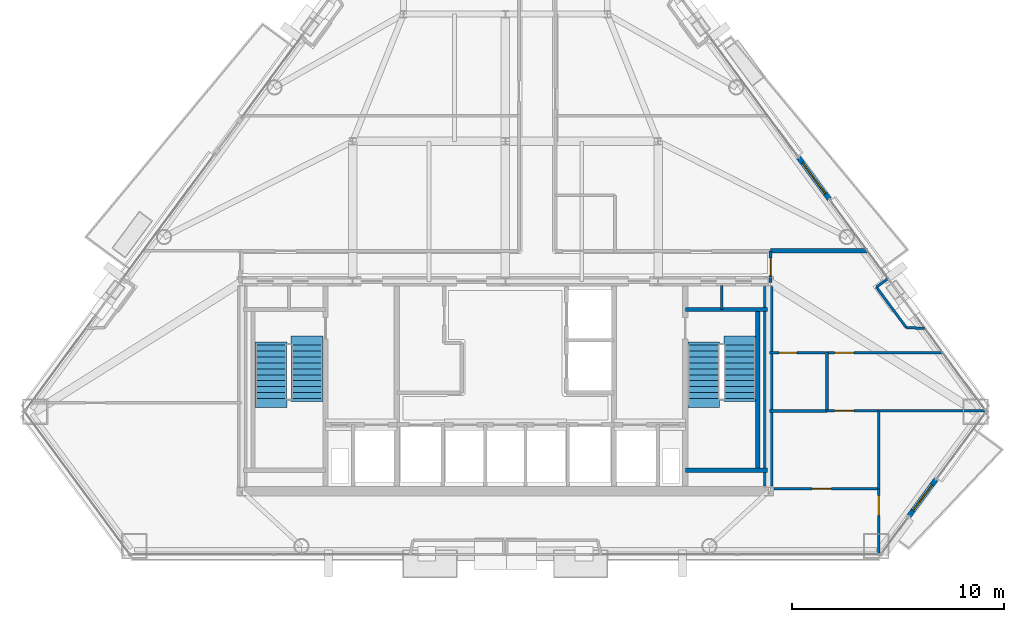
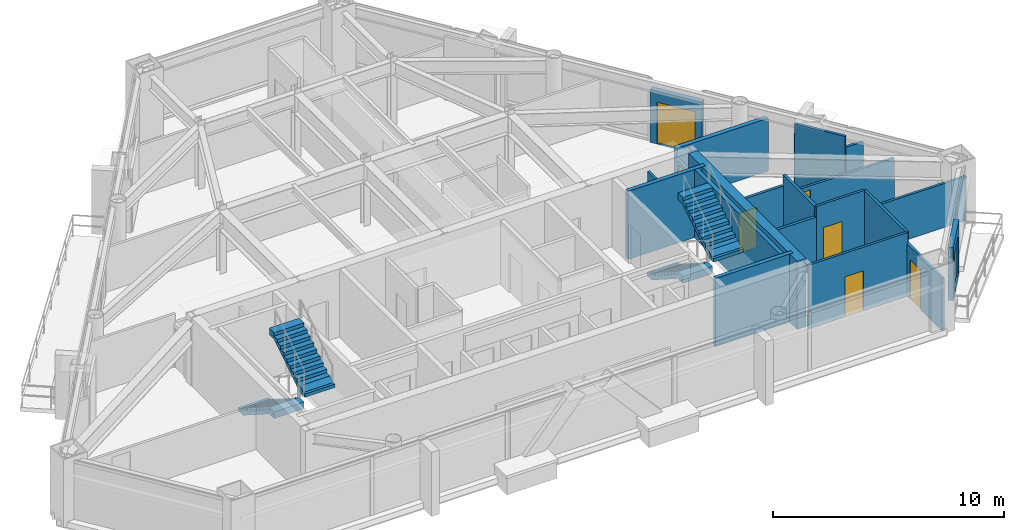
# One storey, part 9 of 11: 21 walls, 8 doors, 4 stair flights, 8 openings, 2 elements without a shape of their own.
"""IFC4 building model written with IfcOpenShell, lengths in metres."""

from ifc_helpers import new_model, si_unit, direction, frame, frame_2d, origin, place, context, subcontext, project, spatial, polyline, rectangle, outline, extrude, material, layer, layer_set, type_object, element, fill, aggregate, save


model = new_model("IFC4")

# Units and contexts
model_context = context("Model", 3, precision=1e-05, world=origin(), true_north=direction((0.0, 1.0)))
body_context = subcontext(model_context, "Body", "Model", "MODEL_VIEW")
ifc_project = project(units=[si_unit("LENGTHUNIT", "METRE"), si_unit("AREAUNIT", "SQUARE_METRE"), si_unit("VOLUMEUNIT", "CUBIC_METRE"), si_unit("PLANEANGLEUNIT", "RADIAN"), si_unit("MASSUNIT", "GRAM", prefix="KILO")], contexts=[model_context])

# Site, building, storey
site_placement = place(None, origin())
site = spatial("IfcSite", under=ifc_project, at=site_placement, CompositionType="ELEMENT")
building_placement = place(site_placement, origin())
building = spatial("IfcBuilding", under=site, at=building_placement, Name="Talgorran Terracotta Tower", CompositionType="ELEMENT")
storey_placement = place(building_placement, frame((0.0, 0.0, 147.300048828125)))
storey = spatial("IfcBuildingStorey", under=building, at=storey_placement, Name="L38", CompositionType="ELEMENT", Elevation=147.300048828125)

# Wall, opening, door
ifc_material_1 = material(Name="Concrete C40/50", Category="concrete")
ifc_layer_1 = layer(ifc_material_1, 0.239990234375, Name="WT_BALCONY_SPAND")
ifc_layer_set_1 = layer_set([ifc_layer_1], Name="Concrete C40/50")
wall_type_1 = type_object("IfcWallType", Name="WT_BALCONY_SPAND", PredefinedType="STANDARD", material=ifc_layer_set_1)
wall_1_placement = place(storey_placement, frame((15.27490234375, -0.323974609375, -0.01513671875), z_axis=(0.0, 0.0, 1.0), x_axis=(-0.594092829232, 0.804396488216, 0.0)))
wall_1 = element("IfcWall", 1, at=wall_1_placement, inside=storey, type_object=wall_type_1, Name="WL-L38-BALP-BAL-NE", PredefinedType="STANDARD", context=body_context, shape_type="SweptSolid", body=[
    extrude(rectangle(XDim=2.440185546875, YDim=0.239990234375, at=frame_2d((1.22021484375, 0.0))), origin(), (0.0, 0.0, 1.0), 2.80712890625),
])
opening_1_placement = place(wall_1_placement, frame((0.320068359375, 0.0, 0.014892578125)))
opening_1 = element("IfcOpeningElement", 2, at=opening_1_placement, cuts=wall_1, Name="Opening D-BAL-L38-1", PredefinedType="OPENING", context=body_context, shape_type="SweptSolid", body=[
    extrude(rectangle(XDim=1.806048828125, YDim=2.203951171875, at=frame_2d((0.89990234375, 1.10205078125))), frame((0.0, 0.1298828125, 0.0), z_axis=(0.0, -1.0, 0.0), x_axis=(1.0, 0.0, 0.0)), (0.0, 0.0, 1.0), 0.260009765625),
])
ifc_material_2 = material(Name="Thermally Broken Aluminium", Category="aluminium")
door_type_1 = type_object("IfcDoorType", Name="DT_BALC_1800", OperationType="SLIDING_TO_LEFT", PredefinedType="DOOR", material=ifc_material_2)
door_1_placement = place(opening_1_placement, origin())
door_1 = element("IfcDoor", 3, at=door_1_placement, inside=storey, type_object=door_type_1, Name="DR-L38-BAL-BAL-NE", OperationType="SLIDING_TO_LEFT", OverallHeight=2.199951171875, OverallWidth=1.800048828125, PredefinedType="DOOR", context=body_context, shape_type="SweptSolid", body=[
    extrude(rectangle(XDim=1.800048828125, YDim=2.199951171875, at=frame_2d((0.89990234375, 1.10009765625))), frame((0.0, 0.02490234375, 0.0), z_axis=(0.0, -1.0, 0.0), x_axis=(1.0, 0.0, 0.0)), (0.0, 0.0, 1.0), 0.050048828125),
])
fill(opening_1, door_1)

wall_2_placement = place(storey_placement, frame((19.028076171875, -15.25634765625, -0.01513671875), z_axis=(0.0, 0.0, 1.0), x_axis=(0.594124797079, 0.804372877151, 0.0)))
wall_2 = element("IfcWall", 4, at=wall_2_placement, inside=storey, type_object=wall_type_1, Name="WL-L38-BALP-BAL-SE", PredefinedType="STANDARD", context=body_context, shape_type="SweptSolid", body=[
    extrude(rectangle(XDim=2.14013671875, YDim=0.239990234375, at=frame_2d((1.070068359375, 0.0))), origin(), (0.0, 0.0, 1.0), 2.80712890625),
])
opening_2_placement = place(wall_2_placement, frame((0.320068359375, 0.0, 0.014892578125)))
opening_2 = element("IfcOpeningElement", 5, at=opening_2_placement, cuts=wall_2, Name="Opening D-BAL-L38-3", PredefinedType="OPENING", context=body_context, shape_type="SweptSolid", body=[
    extrude(rectangle(XDim=1.506, YDim=2.203951171875, at=frame_2d((0.75, 1.10205078125))), frame((0.0, 0.1298828125, 0.0), z_axis=(0.0, -1.0, 0.0), x_axis=(1.0, 0.0, 0.0)), (0.0, 0.0, 1.0), 0.260009765625),
])
door_type_2 = type_object("IfcDoorType", Name="DT_BALC_1500", OperationType="SLIDING_TO_RIGHT", PredefinedType="DOOR", material=ifc_material_2)
door_2_placement = place(opening_2_placement, origin())
door_2 = element("IfcDoor", 6, at=door_2_placement, inside=storey, type_object=door_type_2, Name="DR-L38-BAL-BAL-SE", OperationType="SLIDING_TO_RIGHT", OverallHeight=2.199951171875, OverallWidth=1.5, PredefinedType="DOOR", context=body_context, shape_type="SweptSolid", body=[
    extrude(rectangle(XDim=1.5, YDim=2.199951171875, at=frame_2d((0.75, 1.10009765625))), frame((0.0, 0.02490234375, 0.0), z_axis=(0.0, -1.0, 0.0), x_axis=(1.0, 0.0, 0.0)), (0.0, 0.0, 1.0), 0.050048828125),
])
fill(opening_2, door_2)

# Walls
ifc_material_3 = material(Name="Concrete C50/60", Category="concrete")
ifc_layer_2 = layer(ifc_material_3, 0.199951171875, Name="WT_CORE_200")
ifc_layer_set_2 = layer_set([ifc_layer_2], Name="Concrete C50/60")
wall_type_2 = type_object("IfcWallType", Name="WT_CORE_200", PredefinedType="SOLIDWALL", material=ifc_layer_set_2)
for number, where, z_axis, x_axis, name in (
    (7, (8.47998046875, -5.52001953125, 0.0), (0.0, 0.0, 1.0), (1.0, 0.0, 0.0), "WL-L38-CW-ST2-N"),
    (8, (8.47998046875, -13.10009765625, 0.0), (0.0, 0.0, 1.0), (1.0, 0.0, 0.0), "WL-L38-CW-ST2-S"),
):
    element("IfcWall", number, at=place(storey_placement, frame(where, z_axis=z_axis, x_axis=x_axis)), inside=storey, type_object=wall_type_2, Name=name, PredefinedType="SOLIDWALL", context=body_context, shape_type="SweptSolid", body=[
        extrude(rectangle(XDim=3.8701171875, YDim=0.199951171875, at=frame_2d((1.93505859375, 0.0))), origin(), (0.0, 0.0, 1.0), 3.599853515625),
    ])
wall_3_placement = place(storey_placement, frame((11.89990234375, -13.10009765625, 0.0), z_axis=(0.0, 0.0, 1.0), x_axis=(0.0, 1.0, 0.0)))
element("IfcWall", 9, at=wall_3_placement, inside=storey, type_object=wall_type_2, Name="WL-L38-CW-ST2-E", PredefinedType="SOLIDWALL", context=body_context, shape_type="SweptSolid", body=[
    extrude(rectangle(XDim=7.580078125, YDim=0.199951171875, at=frame_2d((3.7900390625, 0.0))), origin(), (0.0, 0.0, 1.0), 3.599853515625),
])
ifc_material_4 = material(Name="Concrete C65/80", Category="concrete")
ifc_layer_3 = layer(ifc_material_4, 0.449951171875, Name="WT_CORE_EXT")
ifc_layer_set_3 = layer_set([ifc_layer_3], Name="Concrete C65/80")
wall_type_3 = type_object("IfcWallType", Name="WT_CORE_EXT", PredefinedType="SHEAR", material=ifc_layer_set_3)
wall_4_placement = place(storey_placement, frame((12.39990234375, -13.85009765625, 0.0), z_axis=(0.0, 0.0, 1.0), x_axis=(0.0, 1.0, 0.0)))
element("IfcWall", 10, at=wall_4_placement, inside=storey, type_object=wall_type_3, Name="WL-L38-CW-OUT-E", PredefinedType="SHEAR", context=body_context, shape_type="SweptSolid", body=[
    extrude(rectangle(XDim=9.400146484375, YDim=0.449951171875, at=frame_2d((4.7001953125, 0.0))), origin(), (0.0, 0.0, 1.0), 3.599853515625),
])

# Wall, opening, door
ifc_material_5 = material(Name="Fire-Rated Steel Stud Plasterboard", Category="steel")
ifc_layer_4 = layer(ifc_material_5, 0.14990234375, Name="WT_FIRE_150")
ifc_layer_set_4 = layer_set([ifc_layer_4], Name="Fire-Rated Steel Stud Plasterboard")
wall_type_4 = type_object("IfcWallType", Name="WT_FIRE_150", PredefinedType="PARTITIONING", material=ifc_layer_set_4)
wall_5_placement = place(storey_placement, frame((12.5, -4.239990234375, 0.0), z_axis=(0.0, 0.0, 1.0), x_axis=(0.0, 1.0, 0.0)))
wall_5 = element("IfcWall", 11, at=wall_5_placement, inside=storey, type_object=wall_type_4, Name="WL-L38-W-L38-R03", PredefinedType="PARTITIONING", context=body_context, shape_type="SweptSolid", body=[
    extrude(rectangle(XDim=1.47998046875, YDim=0.14990234375, at=frame_2d((0.739990234375, 0.0))), origin(), (0.0, 0.0, 1.0), 2.324951171875),
])
opening_3_placement = place(wall_5_placement, frame((0.31494140625, 0.0, 0.0)))
opening_3 = element("IfcOpeningElement", 12, at=opening_3_placement, cuts=wall_5, Name="Opening DR-L38-R02", PredefinedType="OPENING", context=body_context, shape_type="SweptSolid", body=[
    extrude(rectangle(XDim=0.826068359375, YDim=2.10409765625, at=frame_2d((0.41015625, 1.052001953125))), frame((0.0, 0.0849609375, 0.0), z_axis=(0.0, -1.0, 0.0), x_axis=(1.0, 0.0, 0.0)), (0.0, 0.0, 1.0), 0.169921875),
])
ifc_material_6 = material(Name="Moisture-Resistant Solid Timber", Category="wood")
door_type_3 = type_object("IfcDoorType", Name="DT_INT_820", OperationType="NOTDEFINED", PredefinedType="DOOR", material=ifc_material_6)
door_3_placement = place(opening_3_placement, origin())
door_3 = element("IfcDoor", 13, at=door_3_placement, inside=storey, type_object=door_type_3, Name="DR-L38-R02", OperationType="SINGLE_SWING_RIGHT", OverallHeight=2.10009765625, OverallWidth=0.820068359375, PredefinedType="DOOR", context=body_context, shape_type="SweptSolid", body=[
    extrude(rectangle(XDim=0.820068359375, YDim=2.10009765625, at=frame_2d((0.41015625, 1.050048828125))), frame((0.0, 0.02490234375, 0.0), z_axis=(0.0, -1.0, 0.0), x_axis=(1.0, 0.0, 0.0)), (0.0, 0.0, 1.0), 0.050048828125),
])
fill(opening_3, door_3)

# Walls
ifc_material_7 = material(Name="Acoustic Masonry and Plasterboard", Category="masonry")
ifc_layer_5 = layer(ifc_material_7, 0.219970703125, Name="WT_PARTY_220")
ifc_layer_set_5 = layer_set([ifc_layer_5], Name="Acoustic Masonry and Plasterboard")
wall_type_5 = type_object("IfcWallType", Name="WT_PARTY_220", PredefinedType="PARTITIONING", material=ifc_layer_set_5)
wall_6_placement = place(storey_placement, frame((12.5, -2.760009765625, 0.0), z_axis=(0.0, 0.0, 1.0), x_axis=(1.0, 0.0, 0.0)))
element("IfcWall", 14, at=wall_6_placement, inside=storey, type_object=wall_type_5, Name="WL-L38-W-L38-R18", PredefinedType="PARTITIONING", context=body_context, shape_type="SweptSolid", body=[
    extrude(rectangle(XDim=4.573974609375, YDim=0.219970703125, at=frame_2d((2.287109375, 0.0))), origin(), (0.0, 0.0, 1.0), 2.7919921875),
])
ifc_material_8 = material(Name="Insulated Steel Stud Plasterboard", Category="steel")
ifc_layer_6 = layer(ifc_material_8, 0.1201171875, Name="WT_PART_120")
ifc_layer_set_6 = layer_set([ifc_layer_6], Name="Insulated Steel Stud Plasterboard")
wall_type_6 = type_object("IfcWallType", Name="WT_PART_120", PredefinedType="PARTITIONING", material=ifc_layer_set_6)
wall_7_placement = place(storey_placement, frame((10.199951171875, -5.52001953125, 0.0), z_axis=(0.0, 0.0, 1.0), x_axis=(0.0, 1.0, 0.0)))
element("IfcWall", 15, at=wall_7_placement, inside=storey, type_object=wall_type_6, Name="WL-L38-CW-CSE-DIV", PredefinedType="PARTITIONING", context=body_context, shape_type="SweptSolid", body=[
    extrude(rectangle(XDim=1.1201171875, YDim=0.1201171875, at=frame_2d((0.56005859375, 0.0))), origin(), (0.0, 0.0, 1.0), 3.349853515625),
])

# Wall, opening, door
wall_8_placement = place(storey_placement, frame((15.080078125, -7.56005859375, 0.0), z_axis=(0.0, 0.0, 1.0), x_axis=(1.0, 0.0, 0.0)))
wall_8 = element("IfcWall", 16, at=wall_8_placement, inside=storey, type_object=wall_type_6, Name="WL-L38-W-L38-R17", PredefinedType="PARTITIONING", context=body_context, shape_type="SweptSolid", body=[
    extrude(rectangle(XDim=5.538818359375, YDim=0.1201171875, at=frame_2d((2.76953125, 0.0))), origin(), (0.0, 0.0, 1.0), 2.324951171875),
])
opening_4_placement = place(wall_8_placement, frame((0.43994140625, 0.0, 0.0)))
opening_4 = element("IfcOpeningElement", 17, at=opening_4_placement, cuts=wall_8, Name="Opening DR-L38-R04", PredefinedType="OPENING", context=body_context, shape_type="SweptSolid", body=[
    extrude(rectangle(XDim=0.925921875, YDim=2.10409765625, at=frame_2d((0.4599609375, 1.052001953125))), frame((0.0, 0.070068359375, 0.0), z_axis=(0.0, -1.0, 0.0), x_axis=(1.0, 0.0, 0.0)), (0.0, 0.0, 1.0), 0.14013671875),
])
ifc_material_9 = material(Name="Solid-Core Painted Timber", Category="wood")
door_type_4 = type_object("IfcDoorType", Name="DT_INT_920", OperationType="NOTDEFINED", PredefinedType="DOOR", material=ifc_material_9)
door_4_placement = place(opening_4_placement, origin())
door_4 = element("IfcDoor", 18, at=door_4_placement, inside=storey, type_object=door_type_4, Name="DR-L38-R04", OperationType="SINGLE_SWING_RIGHT", OverallHeight=2.10009765625, OverallWidth=0.919921875, PredefinedType="DOOR", context=body_context, shape_type="SweptSolid", body=[
    extrude(rectangle(XDim=0.919921875, YDim=2.10009765625, at=frame_2d((0.4599609375, 1.050048828125))), frame((0.0, 0.02490234375, 0.0), z_axis=(0.0, -1.0, 0.0), x_axis=(1.0, 0.0, 0.0)), (0.0, 0.0, 1.0), 0.050048828125),
])
fill(opening_4, door_4)

wall_9_placement = place(storey_placement, frame((12.652099609375, -13.97998046875, 0.0), z_axis=(0.0, 0.0, 1.0), x_axis=(1.0, 0.0, 0.0)))
wall_9 = element("IfcWall", 19, at=wall_9_placement, inside=storey, type_object=wall_type_6, Name="WL-L38-W-L38-R23", PredefinedType="PARTITIONING", context=body_context, shape_type="SweptSolid", body=[
    extrude(rectangle(XDim=4.947998046875, YDim=0.1201171875, at=frame_2d((2.47412109375, 0.0))), origin(), (0.0, 0.0, 1.0), 3.349853515625),
])
opening_5_placement = place(wall_9_placement, frame((1.79931640625, 0.0, 0.0)))
opening_5 = element("IfcOpeningElement", 20, at=opening_5_placement, cuts=wall_9, Name="Opening DR-L38-R06", PredefinedType="OPENING", context=body_context, shape_type="SweptSolid", body=[
    extrude(rectangle(XDim=0.925921875, YDim=2.10409765625, at=frame_2d((0.4599609375, 1.052001953125))), frame((0.0, 0.070068359375, 0.0), z_axis=(0.0, -1.0, 0.0), x_axis=(1.0, 0.0, 0.0)), (0.0, 0.0, 1.0), 0.14013671875),
])
door_5_placement = place(opening_5_placement, origin())
door_5 = element("IfcDoor", 21, at=door_5_placement, inside=storey, type_object=door_type_4, Name="DR-L38-R06", OperationType="SINGLE_SWING_RIGHT", OverallHeight=2.10009765625, OverallWidth=0.919921875, PredefinedType="DOOR", context=body_context, shape_type="SweptSolid", body=[
    extrude(rectangle(XDim=0.919921875, YDim=2.10009765625, at=frame_2d((0.4599609375, 1.050048828125))), frame((0.0, 0.02490234375, 0.0), z_axis=(0.0, -1.0, 0.0), x_axis=(1.0, 0.0, 0.0)), (0.0, 0.0, 1.0), 0.050048828125),
])
fill(opening_5, door_5)

# Walls
wall_10_placement = place(storey_placement, frame((17.5400390625, -10.300048828125, 0.0), z_axis=(0.0, 0.0, 1.0), x_axis=(1.0, 0.0, 0.0)))
element("IfcWall", 22, at=wall_10_placement, inside=storey, type_object=wall_type_6, Name="WL-L38-W-L38-R22", PredefinedType="PARTITIONING", context=body_context, shape_type="SweptSolid", body=[
    extrude(rectangle(XDim=5.1025390625, YDim=0.1201171875, at=frame_2d((2.55126953125, 0.0))), origin(), (0.0, 0.0, 1.0), 2.324951171875),
])
wall_11_placement = place(storey_placement, frame((17.60009765625, -13.97998046875, 0.0), z_axis=(0.0, 0.0, 1.0), x_axis=(0.0, 1.0, 0.0)))
element("IfcWall", 23, at=wall_11_placement, inside=storey, type_object=wall_type_6, Name="WL-L38-W-L38-R25", PredefinedType="PARTITIONING", context=body_context, shape_type="SweptSolid", body=[
    extrude(rectangle(XDim=3.679931640625, YDim=0.1201171875, at=frame_2d((1.83984375, 0.0))), origin(), (0.0, 0.0, 1.0), 3.349853515625),
])

# Wall, opening, door
wall_12_placement = place(storey_placement, frame((17.60009765625, -17.074462890625, 0.0), z_axis=(0.0, 0.0, 1.0), x_axis=(0.0, 1.0, 0.0)))
wall_12 = element("IfcWall", 24, at=wall_12_placement, inside=storey, type_object=wall_type_6, Name="WL-L38-W-L38-R24", PredefinedType="PARTITIONING", context=body_context, shape_type="SweptSolid", body=[
    extrude(rectangle(XDim=3.094482421875, YDim=0.1201171875, at=frame_2d((1.54736328125, 0.0))), origin(), (0.0, 0.0, 1.0), 2.7919921875),
])
opening_6_placement = place(wall_12_placement, frame((1.85498046875, 0.0, 0.0)))
opening_6 = element("IfcOpeningElement", 25, at=opening_6_placement, cuts=wall_12, Name="Opening DR-L38-R05", PredefinedType="OPENING", context=body_context, shape_type="SweptSolid", body=[
    extrude(rectangle(XDim=0.925921875, YDim=2.10409765625, at=frame_2d((0.4599609375, 1.052001953125))), frame((0.0, 0.070068359375, 0.0), z_axis=(0.0, -1.0, 0.0), x_axis=(1.0, 0.0, 0.0)), (0.0, 0.0, 1.0), 0.14013671875),
])
door_6_placement = place(opening_6_placement, origin())
door_6 = element("IfcDoor", 26, at=door_6_placement, inside=storey, type_object=door_type_4, Name="DR-L38-R05", OperationType="SINGLE_SWING_LEFT", OverallHeight=2.10009765625, OverallWidth=0.919921875, PredefinedType="DOOR", context=body_context, shape_type="SweptSolid", body=[
    extrude(rectangle(XDim=0.919921875, YDim=2.10009765625, at=frame_2d((0.4599609375, 1.050048828125))), frame((0.0, 0.02490234375, 0.0), z_axis=(0.0, -1.0, 0.0), x_axis=(1.0, 0.0, 0.0)), (0.0, 0.0, 1.0), 0.050048828125),
])
fill(opening_6, door_6)

wall_13_placement = place(storey_placement, frame((15.159912109375, -10.300048828125, 0.0), z_axis=(0.0, 0.0, 1.0), x_axis=(1.0, 0.0, 0.0)))
wall_13 = element("IfcWall", 27, at=wall_13_placement, inside=storey, type_object=wall_type_6, Name="WL-L38-W-L38-R21", PredefinedType="PARTITIONING", context=body_context, shape_type="SweptSolid", body=[
    extrude(rectangle(XDim=2.378173828125, YDim=0.1201171875, at=frame_2d((1.18896484375, 0.0))), origin(), (0.0, 0.0, 1.0), 3.349853515625),
])
opening_7_placement = place(wall_13_placement, frame((0.3564453125, 0.0, 0.0)))
opening_7 = element("IfcOpeningElement", 28, at=opening_7_placement, cuts=wall_13, Name="Opening DR-L38-R14", PredefinedType="OPENING", context=body_context, shape_type="SweptSolid", body=[
    extrude(rectangle(XDim=0.925921875, YDim=2.10409765625, at=frame_2d((0.4599609375, 1.052001953125))), frame((0.0, 0.070068359375, 0.0), z_axis=(0.0, -1.0, 0.0), x_axis=(1.0, 0.0, 0.0)), (0.0, 0.0, 1.0), 0.14013671875),
])
door_7_placement = place(opening_7_placement, origin())
door_7 = element("IfcDoor", 29, at=door_7_placement, inside=storey, type_object=door_type_4, Name="DR-L38-R14", OperationType="SINGLE_SWING_RIGHT", OverallHeight=2.10009765625, OverallWidth=0.919921875, PredefinedType="DOOR", context=body_context, shape_type="SweptSolid", body=[
    extrude(rectangle(XDim=0.919921875, YDim=2.10009765625, at=frame_2d((0.4599609375, 1.050048828125))), frame((0.0, 0.02490234375, 0.0), z_axis=(0.0, -1.0, 0.0), x_axis=(1.0, 0.0, 0.0)), (0.0, 0.0, 1.0), 0.050048828125),
])
fill(opening_7, door_7)

# Walls
wall_14_placement = place(storey_placement, frame((18.902587890625, -6.380859375, 0.0), z_axis=(0.0, 0.0, 1.0), x_axis=(-0.594053249338, 0.804425718728, 0.0)))
element("IfcWall", 30, at=wall_14_placement, inside=storey, type_object=wall_type_6, Name="WL-L38-BW-L38-13", PredefinedType="PARTITIONING", context=body_context, shape_type="SweptSolid", body=[
    extrude(rectangle(XDim=2.3779296875, YDim=0.1201171875, at=frame_2d((1.18896484375, 0.0))), origin(), (0.0, 0.0, 1.0), 3.349853515625),
])
wall_15_placement = place(storey_placement, frame((19.75439453125, -6.40625, 0.0), z_axis=(0.0, 0.0, 1.0), x_axis=(-0.999556038353, 0.029794734305, 0.0)))
element("IfcWall", 31, at=wall_15_placement, inside=storey, type_object=wall_type_6, Name="WL-L38-BW-L38-12", PredefinedType="PARTITIONING", context=body_context, shape_type="SweptSolid", body=[
    extrude(rectangle(XDim=0.852294921875, YDim=0.1201171875, at=frame_2d((0.42626953125, 0.0))), origin(), (0.0, 0.0, 1.0), 2.7919921875),
])
wall_16_placement = place(storey_placement, frame((17.489990234375, -4.468017578125, 0.0), z_axis=(0.0, 0.0, 1.0), x_axis=(0.80452433553, 0.593919686102, 0.0)))
element("IfcWall", 32, at=wall_16_placement, inside=storey, type_object=wall_type_6, Name="WL-L38-BW-L38-11", PredefinedType="PARTITIONING", context=body_context, shape_type="SweptSolid", body=[
    extrude(rectangle(XDim=0.669921875, YDim=0.1201171875, at=frame_2d((0.3349609375, 0.0))), origin(), (0.0, 0.0, 1.0), 2.7919921875),
])

# Wall, opening, door
ifc_material_10 = material(Name="Moisture-Resistant Stud Wall")
ifc_layer_7 = layer(ifc_material_10, 0.135009765625, Name="WT_PART_135")
ifc_layer_set_7 = layer_set([ifc_layer_7], Name="Moisture-Resistant Stud Wall")
wall_type_7 = type_object("IfcWallType", Name="WT_PART_135", PredefinedType="PARTITIONING", material=ifc_layer_set_7)
wall_17_placement = place(storey_placement, frame((12.43994140625, -7.56005859375, 0.0), z_axis=(0.0, 0.0, 1.0), x_axis=(1.0, 0.0, 0.0)))
wall_17 = element("IfcWall", 33, at=wall_17_placement, inside=storey, type_object=wall_type_7, Name="WL-L38-W-L38-R16", PredefinedType="PARTITIONING", context=body_context, shape_type="SweptSolid", body=[
    extrude(rectangle(XDim=2.637939453125, YDim=0.135009765625, at=frame_2d((1.31884765625, 0.0))), origin(), (0.0, 0.0, 1.0), 2.7919921875),
])
opening_8_placement = place(wall_17_placement, frame((0.458251953125, 0.0, 0.0)))
opening_8 = element("IfcOpeningElement", 34, at=opening_8_placement, cuts=wall_17, Name="Opening DR-L38-R03", PredefinedType="OPENING", context=body_context, shape_type="SweptSolid", body=[
    extrude(rectangle(XDim=0.85609765625, YDim=2.10409765625, at=frame_2d((0.425048828125, 1.052001953125))), frame((0.0, 0.07763671875, 0.0), z_axis=(0.0, -1.0, 0.0), x_axis=(1.0, 0.0, 0.0)), (0.0, 0.0, 1.0), 0.155029296875),
])
door_type_5 = type_object("IfcDoorType", Name="DT_INT_850", OperationType="NOTDEFINED", PredefinedType="DOOR", material=ifc_material_6)
door_8_placement = place(opening_8_placement, origin())
door_8 = element("IfcDoor", 35, at=door_8_placement, inside=storey, type_object=door_type_5, Name="DR-L38-R03", OperationType="SINGLE_SWING_LEFT", OverallHeight=2.10009765625, OverallWidth=0.85009765625, PredefinedType="DOOR", context=body_context, shape_type="SweptSolid", body=[
    extrude(rectangle(XDim=0.85009765625, YDim=2.10009765625, at=frame_2d((0.425048828125, 1.050048828125))), frame((0.0, 0.02490234375, 0.0), z_axis=(0.0, -1.0, 0.0), x_axis=(1.0, 0.0, 0.0)), (0.0, 0.0, 1.0), 0.050048828125),
])
fill(opening_8, door_8)

# Walls
wall_18_placement = place(storey_placement, frame((15.159912109375, -10.300048828125, 0.0), z_axis=(0.0, 0.0, 1.0), x_axis=(0.0, 1.0, 0.0)))
element("IfcWall", 36, at=wall_18_placement, inside=storey, type_object=wall_type_7, Name="WL-L38-W-L38-R19", PredefinedType="PARTITIONING", context=body_context, shape_type="SweptSolid", body=[
    extrude(rectangle(XDim=2.739990234375, YDim=0.135009765625, at=frame_2d((1.3701171875, 0.0))), origin(), (0.0, 0.0, 1.0), 3.349853515625),
])
wall_19_placement = place(storey_placement, frame((12.43994140625, -10.300048828125, 0.0), z_axis=(0.0, 0.0, 1.0), x_axis=(1.0, 0.0, 0.0)))
element("IfcWall", 37, at=wall_19_placement, inside=storey, type_object=wall_type_7, Name="WL-L38-W-L38-R20", PredefinedType="PARTITIONING", context=body_context, shape_type="SweptSolid", body=[
    extrude(rectangle(XDim=2.719970703125, YDim=0.135009765625, at=frame_2d((1.35986328125, 0.0))), origin(), (0.0, 0.0, 1.0), 2.7919921875),
])

# Stair, stair flights
stair_type = type_object("IfcStairType", Name="ST_FIRE_SCISSOR", PredefinedType="HALF_TURN_STAIR", material=ifc_material_1)
stair_1_placement = place(storey_placement, origin())
stair_1 = element("IfcStair", 38, at=stair_1_placement, inside=storey, type_object=stair_type, Name="L38 West Protected Fire Stair ST-01", PredefinedType="HALF_TURN_STAIR")
ifc_layer_8 = layer(ifc_material_1, 0.179931640625, Name="STF_RC_1500")
ifc_layer_set_8 = layer_set([ifc_layer_8], Name="Concrete C40/50")
stair_flight_type = type_object("IfcStairFlightType", Name="STF_RC_1500", PredefinedType="STRAIGHT", material=ifc_layer_set_8)
stair_flight_1_placement = place(storey_placement, frame((-11.050048828125, -7.199951171875, 0.0), z_axis=(0.0, 0.0, 1.0), x_axis=(0.0, -1.0, 0.0)))
stair_flight_1 = element("IfcStairFlight", 39, at=stair_flight_1_placement, type_object=stair_flight_type, Name="ST-01 flight 1", NumberOfRisers=10, NumberOfTreads=9, PredefinedType="STRAIGHT", RiserHeight=0.18, TreadLength=0.28, context=body_context, shape_type="SweptSolid", body=[
    extrude(outline(polyline([(-0.139892578125, 0.0), (-0.139892578125, 0.179931640625), (0.0, 0.179931640625), (0.280029296875, 0.360107421875), (0.56005859375, 0.360107421875), (0.56005859375, 0.5400390625), (0.840087890625, 0.5400390625), (0.840087890625, 0.719970703125), (1.1201171875, 0.719970703125), (1.1201171875, 0.89990234375), (1.39990234375, 0.89990234375), (1.39990234375, 1.080078125), (1.679931640625, 1.080078125), (1.679931640625, 1.260009765625), (1.9599609375, 1.260009765625), (1.9599609375, 1.43994140625), (2.239990234375, 1.43994140625), (2.239990234375, 1.6201171875), (2.52001953125, 1.6201171875), (2.52001953125, 1.800048828125), (2.93994140625, 1.800048828125), (2.93994140625, 1.44189453125), (2.52001953125, 1.44189453125), (0.277099609375, 0.0), (-0.139892578125, 0.0)])), frame((0.0, 0.75, 0.0), z_axis=(0.0, -1.0, 0.0), x_axis=(1.0, 0.0, 0.0)), (0.0, 0.0, 1.0), 1.5),
])
stair_flight_2_placement = place(storey_placement, frame((-9.35009765625, -9.719970703125, 1.800048828125), z_axis=(0.0, 0.0, 1.0), x_axis=(0.0, 1.0, 0.0)))
stair_flight_2 = element("IfcStairFlight", 40, at=stair_flight_2_placement, type_object=stair_flight_type, Name="ST-01 flight 2", NumberOfRisers=10, NumberOfTreads=9, PredefinedType="STRAIGHT", RiserHeight=0.18, TreadLength=0.28, context=body_context, shape_type="SweptSolid", body=[
    extrude(outline(polyline([(-0.139892578125, 0.0), (-0.139892578125, 0.179931640625), (0.0, 0.179931640625), (0.280029296875, 0.360107421875), (0.56005859375, 0.360107421875), (0.56005859375, 0.5400390625), (0.840087890625, 0.5400390625), (0.840087890625, 0.719970703125), (1.1201171875, 0.719970703125), (1.1201171875, 0.89990234375), (1.39990234375, 0.89990234375), (1.39990234375, 1.080078125), (1.679931640625, 1.080078125), (1.679931640625, 1.260009765625), (1.9599609375, 1.260009765625), (1.9599609375, 1.43994140625), (2.239990234375, 1.43994140625), (2.239990234375, 1.6201171875), (2.52001953125, 1.6201171875), (2.52001953125, 1.800048828125), (2.93994140625, 1.800048828125), (2.93994140625, 1.44189453125), (2.52001953125, 1.44189453125), (0.277099609375, 0.0), (-0.139892578125, 0.0)])), frame((0.0, 0.75, 0.0), z_axis=(0.0, -1.0, 0.0), x_axis=(1.0, 0.0, 0.0)), (0.0, 0.0, 1.0), 1.5),
])
aggregate(stair_1, [stair_flight_1, stair_flight_2])

stair_2_placement = place(storey_placement, origin())
stair_2 = element("IfcStair", 41, at=stair_2_placement, inside=storey, type_object=stair_type, Name="L38 East Protected Fire Stair ST-02", PredefinedType="HALF_TURN_STAIR")
stair_flight_3_placement = place(storey_placement, frame((9.35009765625, -7.199951171875, 0.0), z_axis=(0.0, 0.0, 1.0), x_axis=(0.0, -1.0, 0.0)))
stair_flight_3 = element("IfcStairFlight", 42, at=stair_flight_3_placement, type_object=stair_flight_type, Name="ST-02 flight 1", NumberOfRisers=10, NumberOfTreads=9, PredefinedType="STRAIGHT", RiserHeight=0.18, TreadLength=0.28, context=body_context, shape_type="SweptSolid", body=[
    extrude(outline(polyline([(-0.139892578125, 0.0), (-0.139892578125, 0.179931640625), (0.0, 0.179931640625), (0.280029296875, 0.360107421875), (0.56005859375, 0.360107421875), (0.56005859375, 0.5400390625), (0.840087890625, 0.5400390625), (0.840087890625, 0.719970703125), (1.1201171875, 0.719970703125), (1.1201171875, 0.89990234375), (1.39990234375, 0.89990234375), (1.39990234375, 1.080078125), (1.679931640625, 1.080078125), (1.679931640625, 1.260009765625), (1.9599609375, 1.260009765625), (1.9599609375, 1.43994140625), (2.239990234375, 1.43994140625), (2.239990234375, 1.6201171875), (2.52001953125, 1.6201171875), (2.52001953125, 1.800048828125), (2.93994140625, 1.800048828125), (2.93994140625, 1.44189453125), (2.52001953125, 1.44189453125), (0.277099609375, 0.0), (-0.139892578125, 0.0)])), frame((0.0, 0.75, 0.0), z_axis=(0.0, -1.0, 0.0), x_axis=(1.0, 0.0, 0.0)), (0.0, 0.0, 1.0), 1.5),
])
stair_flight_4_placement = place(storey_placement, frame((11.050048828125, -9.719970703125, 1.800048828125), z_axis=(0.0, 0.0, 1.0), x_axis=(0.0, 1.0, 0.0)))
stair_flight_4 = element("IfcStairFlight", 43, at=stair_flight_4_placement, type_object=stair_flight_type, Name="ST-02 flight 2", NumberOfRisers=10, NumberOfTreads=9, PredefinedType="STRAIGHT", RiserHeight=0.18, TreadLength=0.28, context=body_context, shape_type="SweptSolid", body=[
    extrude(outline(polyline([(-0.139892578125, 0.0), (-0.139892578125, 0.179931640625), (0.0, 0.179931640625), (0.280029296875, 0.360107421875), (0.56005859375, 0.360107421875), (0.56005859375, 0.5400390625), (0.840087890625, 0.5400390625), (0.840087890625, 0.719970703125), (1.1201171875, 0.719970703125), (1.1201171875, 0.89990234375), (1.39990234375, 0.89990234375), (1.39990234375, 1.080078125), (1.679931640625, 1.080078125), (1.679931640625, 1.260009765625), (1.9599609375, 1.260009765625), (1.9599609375, 1.43994140625), (2.239990234375, 1.43994140625), (2.239990234375, 1.6201171875), (2.52001953125, 1.6201171875), (2.52001953125, 1.800048828125), (2.93994140625, 1.800048828125), (2.93994140625, 1.44189453125), (2.52001953125, 1.44189453125), (0.277099609375, 0.0), (-0.139892578125, 0.0)])), frame((0.0, 0.75, 0.0), z_axis=(0.0, -1.0, 0.0), x_axis=(1.0, 0.0, 0.0)), (0.0, 0.0, 1.0), 1.5),
])
aggregate(stair_2, [stair_flight_3, stair_flight_4])

save(model, "model.ifc")
